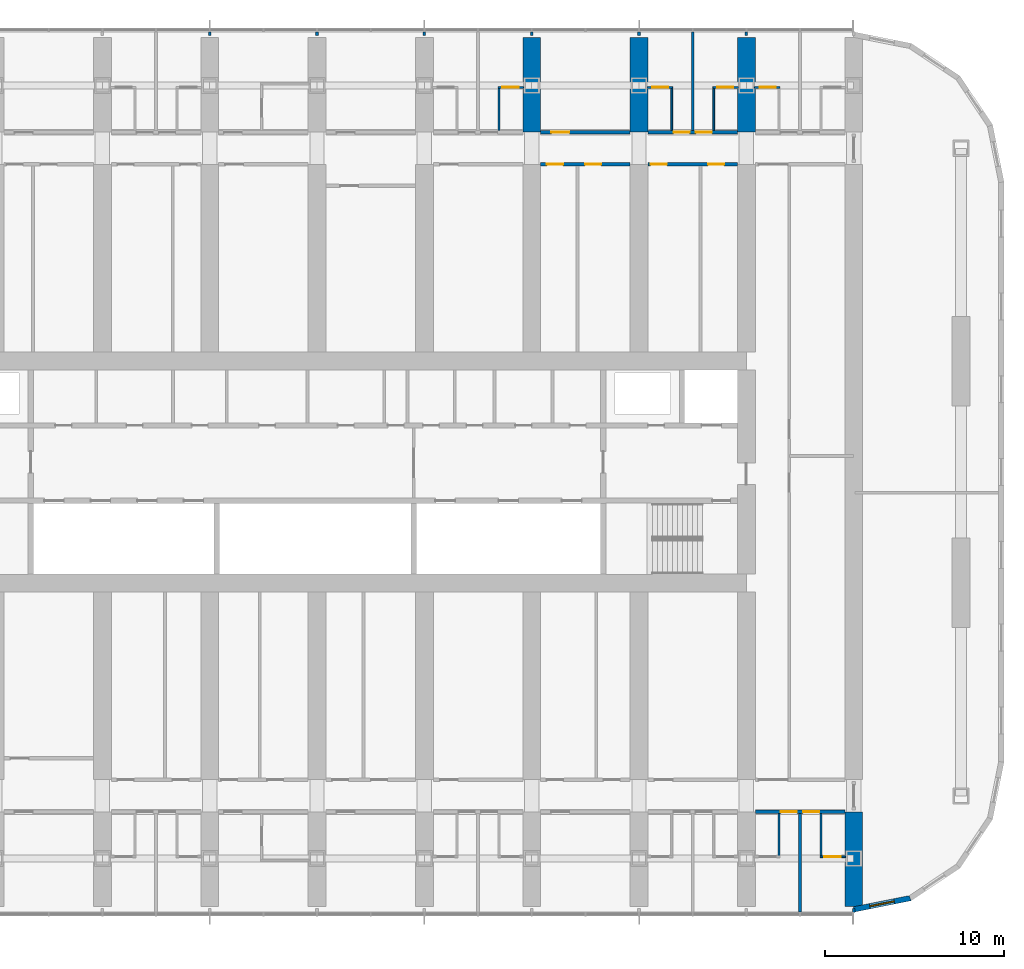
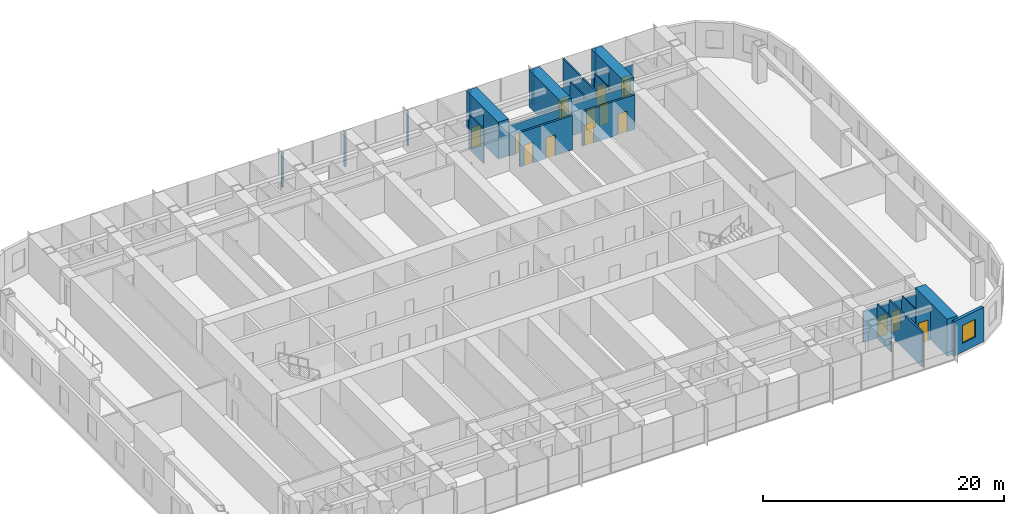
# One storey, part 17 of 24: 29 walls, 14 doors, 1 window, 15 openings.
"""IFC4 building model written with IfcOpenShell, lengths in metres."""

from ifc_helpers import new_model, si_unit, direction, frame, frame_2d, origin, place, context, subcontext, project, spatial, polyline, rectangle, outline, extrude, material, layer, layer_set, type_object, element, fill, save


model = new_model("IFC4")

# Units and contexts
model_context = context("Model", 3, precision=1e-05, world=origin(), true_north=direction((0.0, 1.0)))
body_context = subcontext(model_context, "Body", "Model", "MODEL_VIEW")
ifc_project = project(units=[si_unit("LENGTHUNIT", "METRE"), si_unit("AREAUNIT", "SQUARE_METRE"), si_unit("VOLUMEUNIT", "CUBIC_METRE"), si_unit("PLANEANGLEUNIT", "RADIAN"), si_unit("MASSUNIT", "GRAM", prefix="KILO")], contexts=[model_context])

# Site, building, storey
site_placement = place(None, origin())
site = spatial("IfcSite", under=ifc_project, at=site_placement, CompositionType="ELEMENT")
building_placement = place(site_placement, origin())
building = spatial("IfcBuilding", under=site, at=building_placement, Name="Orbita Commons", CompositionType="ELEMENT")
storey_placement = place(building_placement, frame((0.0, 0.0, 27.699951171875)))
storey = spatial("IfcBuildingStorey", under=building, at=storey_placement, Name="L06", CompositionType="ELEMENT", Elevation=27.699951171875)

# Wall, openings, doors
ifc_material_1 = material(Name="Concrete blockwork", Category="masonry")
ifc_layer_1 = layer(ifc_material_1, 0.199951171875)
ifc_layer_set_1 = layer_set([ifc_layer_1], Name="Concrete blockwork")
wall_type_1 = type_object("IfcWallType", Name="Corridor wall 200 blockwork", PredefinedType="SOLIDWALL", material=ifc_layer_set_1)
wall_1_placement = place(storey_placement, frame((66.5, 13.0, 0.0), z_axis=(0.0, 0.0, 1.0), x_axis=(1.0, 0.0, 0.0)))
wall_1 = element("IfcWall", 1, at=wall_1_placement, inside=storey, type_object=wall_type_1, Name="Corridor wall 200 blockwork L06", PredefinedType="SOLIDWALL", context=body_context, shape_type="SweptSolid", body=[
    extrude(outline(polyline([(0.0, 0.0), (5.0, 0.0), (5.0, 3.10009765625), (0.0, 3.10009765625), (0.0, 0.0)])), frame((0.0, 0.10009765625, 0.0), z_axis=(0.0, -1.0, 0.0), x_axis=(1.0, 0.0, 0.0)), (0.0, 0.0, 1.0), 0.199951171875),
])
opening_1_placement = place(wall_1_placement, frame((1.425048828125, 0.0, 0.0)))
opening_1 = element("IfcOpeningElement", 2, at=opening_1_placement, cuts=wall_1, Name="Opening D11", PredefinedType="OPENING", context=body_context, shape_type="SweptSolid", body=[
    extrude(rectangle(XDim=0.89990234375, YDim=2.10009765625, at=frame_2d((0.449951171875, 1.050048828125))), frame((0.0, 0.10986328125, 0.0), z_axis=(0.0, -1.0, 0.0), x_axis=(1.0, 0.0, 0.0)), (0.0, 0.0, 1.0), 0.219970703125),
])
opening_2_placement = place(wall_1_placement, frame((2.675048828125, 0.0, 0.0)))
opening_2 = element("IfcOpeningElement", 3, at=opening_2_placement, cuts=wall_1, Name="Opening D11", PredefinedType="OPENING", context=body_context, shape_type="SweptSolid", body=[
    extrude(rectangle(XDim=0.89990234375, YDim=2.10009765625, at=frame_2d((0.449951171875, 1.050048828125))), frame((0.0, 0.10986328125, 0.0), z_axis=(0.0, -1.0, 0.0), x_axis=(1.0, 0.0, 0.0)), (0.0, 0.0, 1.0), 0.219970703125),
])
ifc_material_2 = material(Name="Steel-faced fire door leaf", Category="steel")
door_type_1 = type_object("IfcDoorType", Name="Corridor door 20 min 900x2100", OperationType="SINGLE_SWING_LEFT", PredefinedType="DOOR", material=ifc_material_2)
door_1_placement = place(opening_1_placement, origin())
door_1 = element("IfcDoor", 4, at=door_1_placement, inside=storey, type_object=door_type_1, Name="House bedroom L06-S18 door", OperationType="SINGLE_SWING_LEFT", OverallHeight=2.10009765625, OverallWidth=0.89990234375, PredefinedType="DOOR", context=body_context, shape_type="SweptSolid", body=[
    extrude(rectangle(XDim=0.89990234375, YDim=2.10009765625, at=frame_2d((0.449951171875, 1.050048828125))), frame((0.0, 0.02490234375, 0.0), z_axis=(0.0, -1.0, 0.0), x_axis=(1.0, 0.0, 0.0)), (0.0, 0.0, 1.0), 0.050048828125),
])
fill(opening_1, door_1)
door_2_placement = place(opening_2_placement, origin())
door_2 = element("IfcDoor", 5, at=door_2_placement, inside=storey, type_object=door_type_1, Name="House bedroom L06-S19 door", OperationType="SINGLE_SWING_LEFT", OverallHeight=2.10009765625, OverallWidth=0.89990234375, PredefinedType="DOOR", context=body_context, shape_type="SweptSolid", body=[
    extrude(rectangle(XDim=0.89990234375, YDim=2.10009765625, at=frame_2d((0.449951171875, 1.050048828125))), frame((0.0, 0.02490234375, 0.0), z_axis=(0.0, -1.0, 0.0), x_axis=(1.0, 0.0, 0.0)), (0.0, 0.0, 1.0), 0.050048828125),
])
fill(opening_2, door_2)

# Wall, opening, door
wall_2_placement = place(storey_placement, frame((54.5, 51.0, 0.0), z_axis=(0.0, 0.0, 1.0), x_axis=(1.0, 0.0, 0.0)))
wall_2 = element("IfcWall", 6, at=wall_2_placement, inside=storey, type_object=wall_type_1, Name="Corridor wall 200 blockwork L06", PredefinedType="SOLIDWALL", context=body_context, shape_type="SweptSolid", body=[
    extrude(outline(polyline([(0.0, 0.0), (5.0, 0.0), (5.0, 3.10009765625), (0.0, 3.10009765625), (0.0, 0.0)])), frame((0.0, 0.10009765625, 0.0), z_axis=(0.0, -1.0, 0.0), x_axis=(1.0, 0.0, 0.0)), (0.0, 0.0, 1.0), 0.199951171875),
])
opening_3_placement = place(wall_2_placement, frame((0.60009765625, 0.0, 0.0)))
opening_3 = element("IfcOpeningElement", 7, at=opening_3_placement, cuts=wall_2, Name="Opening D06", PredefinedType="OPENING", context=body_context, shape_type="SweptSolid", body=[
    extrude(rectangle(XDim=1.0, YDim=2.10009765625, at=frame_2d((0.5, 1.050048828125))), frame((0.0, 0.10986328125, 0.0), z_axis=(0.0, -1.0, 0.0), x_axis=(1.0, 0.0, 0.0)), (0.0, 0.0, 1.0), 0.219970703125),
])
ifc_material_3 = material(Name="Steel-faced fire door leaf", Category="steel")
door_type_2 = type_object("IfcDoorType", Name="Corridor door 20 min 1000x2100", OperationType="SINGLE_SWING_LEFT", PredefinedType="DOOR", material=ifc_material_3)
door_3_placement = place(opening_3_placement, origin())
door_3 = element("IfcDoor", 8, at=door_3_placement, inside=storey, type_object=door_type_2, Name="House common room L06-N14 door", OperationType="SINGLE_SWING_LEFT", OverallHeight=2.10009765625, OverallWidth=1.0, PredefinedType="DOOR", context=body_context, shape_type="SweptSolid", body=[
    extrude(rectangle(XDim=1.0, YDim=2.10009765625, at=frame_2d((0.5, 1.050048828125))), frame((0.0, 0.02490234375, 0.0), z_axis=(0.0, -1.0, 0.0), x_axis=(1.0, 0.0, 0.0)), (0.0, 0.0, 1.0), 0.050048828125),
])
fill(opening_3, door_3)

# Wall, openings, doors
wall_3_placement = place(storey_placement, frame((60.5, 51.0, 0.0), z_axis=(0.0, 0.0, 1.0), x_axis=(1.0, 0.0, 0.0)))
wall_3 = element("IfcWall", 9, at=wall_3_placement, inside=storey, type_object=wall_type_1, Name="Corridor wall 200 blockwork L06", PredefinedType="SOLIDWALL", context=body_context, shape_type="SweptSolid", body=[
    extrude(outline(polyline([(0.0, 0.0), (5.0, 0.0), (5.0, 3.10009765625), (0.0, 3.10009765625), (0.0, 0.0)])), frame((0.0, 0.10009765625, 0.0), z_axis=(0.0, -1.0, 0.0), x_axis=(1.0, 0.0, 0.0)), (0.0, 0.0, 1.0), 0.199951171875),
])
opening_4_placement = place(wall_3_placement, frame((1.425048828125, 0.0, 0.0)))
opening_4 = element("IfcOpeningElement", 10, at=opening_4_placement, cuts=wall_3, Name="Opening D11", PredefinedType="OPENING", context=body_context, shape_type="SweptSolid", body=[
    extrude(rectangle(XDim=0.89990234375, YDim=2.10009765625, at=frame_2d((0.449951171875, 1.050048828125))), frame((0.0, 0.10986328125, 0.0), z_axis=(0.0, -1.0, 0.0), x_axis=(1.0, 0.0, 0.0)), (0.0, 0.0, 1.0), 0.219970703125),
])
opening_5_placement = place(wall_3_placement, frame((2.675048828125, 0.0, 0.0)))
opening_5 = element("IfcOpeningElement", 11, at=opening_5_placement, cuts=wall_3, Name="Opening D11", PredefinedType="OPENING", context=body_context, shape_type="SweptSolid", body=[
    extrude(rectangle(XDim=0.89990234375, YDim=2.10009765625, at=frame_2d((0.449951171875, 1.050048828125))), frame((0.0, 0.10986328125, 0.0), z_axis=(0.0, -1.0, 0.0), x_axis=(1.0, 0.0, 0.0)), (0.0, 0.0, 1.0), 0.219970703125),
])
door_4_placement = place(opening_4_placement, origin())
door_4 = element("IfcDoor", 12, at=door_4_placement, inside=storey, type_object=door_type_1, Name="House bedroom L06-N16 door", OperationType="SINGLE_SWING_LEFT", OverallHeight=2.10009765625, OverallWidth=0.89990234375, PredefinedType="DOOR", context=body_context, shape_type="SweptSolid", body=[
    extrude(rectangle(XDim=0.89990234375, YDim=2.10009765625, at=frame_2d((0.449951171875, 1.050048828125))), frame((0.0, 0.02490234375, 0.0), z_axis=(0.0, -1.0, 0.0), x_axis=(1.0, 0.0, 0.0)), (0.0, 0.0, 1.0), 0.050048828125),
])
fill(opening_4, door_4)
door_5_placement = place(opening_5_placement, origin())
door_5 = element("IfcDoor", 13, at=door_5_placement, inside=storey, type_object=door_type_1, Name="House bedroom L06-N17 door", OperationType="SINGLE_SWING_LEFT", OverallHeight=2.10009765625, OverallWidth=0.89990234375, PredefinedType="DOOR", context=body_context, shape_type="SweptSolid", body=[
    extrude(rectangle(XDim=0.89990234375, YDim=2.10009765625, at=frame_2d((0.449951171875, 1.050048828125))), frame((0.0, 0.02490234375, 0.0), z_axis=(0.0, -1.0, 0.0), x_axis=(1.0, 0.0, 0.0)), (0.0, 0.0, 1.0), 0.050048828125),
])
fill(opening_5, door_5)

ifc_material_4 = material(Name="Hollow concrete block 200", Category="concrete")
ifc_layer_2 = layer(ifc_material_4, 0.199951171875)
ifc_layer_set_2 = layer_set([ifc_layer_2], Name="Hollow concrete block 200")
wall_type_2 = type_object("IfcWallType", Name="Corridor wall 200 hollow concrete block", PredefinedType="SOLIDWALL", material=ifc_layer_set_2)
wall_4_placement = place(storey_placement, frame((54.5, 49.199951171875, 0.0), z_axis=(0.0, 0.0, 1.0), x_axis=(1.0, 0.0, 0.0)))
wall_4 = element("IfcWall", 14, at=wall_4_placement, inside=storey, type_object=wall_type_2, Name="Corridor wall 200 hollow concrete block L06", PredefinedType="SOLIDWALL", context=body_context, shape_type="SweptSolid", body=[
    extrude(rectangle(XDim=5.0, YDim=0.199951171875, at=frame_2d((2.5, 0.0))), origin(), (0.0, 0.0, 1.0), 3.5),
])
opening_6_placement = place(wall_4_placement, frame((0.35009765625, 0.0, 0.0)))
opening_6 = element("IfcOpeningElement", 15, at=opening_6_placement, cuts=wall_4, Name="Opening D11", PredefinedType="OPENING", context=body_context, shape_type="SweptSolid", body=[
    extrude(rectangle(XDim=0.89990234375, YDim=2.10009765625, at=frame_2d((0.449951171875, 1.050048828125))), frame((0.0, 0.10986328125, 0.0), z_axis=(0.0, -1.0, 0.0), x_axis=(1.0, 0.0, 0.0)), (0.0, 0.0, 1.0), 0.219970703125),
])
opening_7_placement = place(wall_4_placement, frame((2.485107421875, 0.0, 0.0)))
opening_7 = element("IfcOpeningElement", 16, at=opening_7_placement, cuts=wall_4, Name="Opening D11", PredefinedType="OPENING", context=body_context, shape_type="SweptSolid", body=[
    extrude(rectangle(XDim=0.89990234375, YDim=2.10009765625, at=frame_2d((0.449951171875, 1.050048828125))), frame((0.0, 0.10986328125, 0.0), z_axis=(0.0, -1.0, 0.0), x_axis=(1.0, 0.0, 0.0)), (0.0, 0.0, 1.0), 0.219970703125),
])
door_6_placement = place(opening_6_placement, origin())
door_6 = element("IfcDoor", 17, at=door_6_placement, inside=storey, type_object=door_type_1, Name="Sprinkler valve room L06-BDN54n door", OperationType="SINGLE_SWING_LEFT", OverallHeight=2.10009765625, OverallWidth=0.89990234375, PredefinedType="DOOR", context=body_context, shape_type="SweptSolid", body=[
    extrude(rectangle(XDim=0.89990234375, YDim=2.10009765625, at=frame_2d((0.449951171875, 1.050048828125))), frame((0.0, 0.02490234375, 0.0), z_axis=(0.0, -1.0, 0.0), x_axis=(1.0, 0.0, 0.0)), (0.0, 0.0, 1.0), 0.050048828125),
])
fill(opening_6, door_6)
door_7_placement = place(opening_7_placement, origin())
door_7 = element("IfcDoor", 18, at=door_7_placement, inside=storey, type_object=door_type_1, Name="Ventilation plant room north L06-BDN54 door", OperationType="SINGLE_SWING_LEFT", OverallHeight=2.10009765625, OverallWidth=0.89990234375, PredefinedType="DOOR", context=body_context, shape_type="SweptSolid", body=[
    extrude(rectangle(XDim=0.89990234375, YDim=2.10009765625, at=frame_2d((0.449951171875, 1.050048828125))), frame((0.0, 0.02490234375, 0.0), z_axis=(0.0, -1.0, 0.0), x_axis=(1.0, 0.0, 0.0)), (0.0, 0.0, 1.0), 0.050048828125),
])
fill(opening_7, door_7)

wall_5_placement = place(storey_placement, frame((60.5, 49.199951171875, 0.0), z_axis=(0.0, 0.0, 1.0), x_axis=(1.0, 0.0, 0.0)))
wall_5 = element("IfcWall", 19, at=wall_5_placement, inside=storey, type_object=wall_type_2, Name="Corridor wall 200 hollow concrete block L06", PredefinedType="SOLIDWALL", context=body_context, shape_type="SweptSolid", body=[
    extrude(rectangle(XDim=5.0, YDim=0.199951171875, at=frame_2d((2.5, 0.0))), origin(), (0.0, 0.0, 1.0), 3.5),
])
opening_8_placement = place(wall_5_placement, frame((0.14990234375, 0.0, 0.0)))
opening_8 = element("IfcOpeningElement", 20, at=opening_8_placement, cuts=wall_5, Name="Opening D11", PredefinedType="OPENING", context=body_context, shape_type="SweptSolid", body=[
    extrude(rectangle(XDim=0.89990234375, YDim=2.10009765625, at=frame_2d((0.449951171875, 1.050048828125))), frame((0.0, 0.10986328125, 0.0), z_axis=(0.0, -1.0, 0.0), x_axis=(1.0, 0.0, 0.0)), (0.0, 0.0, 1.0), 0.219970703125),
])
opening_9_placement = place(wall_5_placement, frame((3.35498046875, 0.0, 0.0)))
opening_9 = element("IfcOpeningElement", 21, at=opening_9_placement, cuts=wall_5, Name="Opening D11", PredefinedType="OPENING", context=body_context, shape_type="SweptSolid", body=[
    extrude(rectangle(XDim=0.89990234375, YDim=2.10009765625, at=frame_2d((0.449951171875, 1.050048828125))), frame((0.0, 0.10986328125, 0.0), z_axis=(0.0, -1.0, 0.0), x_axis=(1.0, 0.0, 0.0)), (0.0, 0.0, 1.0), 0.219970703125),
])
door_8_placement = place(opening_8_placement, origin())
door_8 = element("IfcDoor", 22, at=door_8_placement, inside=storey, type_object=door_type_1, Name="Electrical and data room L06-BDN60 door", OperationType="SINGLE_SWING_LEFT", OverallHeight=2.10009765625, OverallWidth=0.89990234375, PredefinedType="DOOR", context=body_context, shape_type="SweptSolid", body=[
    extrude(rectangle(XDim=0.89990234375, YDim=2.10009765625, at=frame_2d((0.449951171875, 1.050048828125))), frame((0.0, 0.02490234375, 0.0), z_axis=(0.0, -1.0, 0.0), x_axis=(1.0, 0.0, 0.0)), (0.0, 0.0, 1.0), 0.050048828125),
])
fill(opening_8, door_8)
door_9_placement = place(opening_9_placement, origin())
door_9 = element("IfcDoor", 23, at=door_9_placement, inside=storey, type_object=door_type_1, Name="Battery and UPS room L06-BDN60n door", OperationType="SINGLE_SWING_LEFT", OverallHeight=2.10009765625, OverallWidth=0.89990234375, PredefinedType="DOOR", context=body_context, shape_type="SweptSolid", body=[
    extrude(rectangle(XDim=0.89990234375, YDim=2.10009765625, at=frame_2d((0.449951171875, 1.050048828125))), frame((0.0, 0.02490234375, 0.0), z_axis=(0.0, -1.0, 0.0), x_axis=(1.0, 0.0, 0.0)), (0.0, 0.0, 1.0), 0.050048828125),
])
fill(opening_9, door_9)

# Walls
ifc_material_5 = material(Name="Concrete C50/60", Category="concrete")
ifc_layer_3 = layer(ifc_material_5, 1.0)
ifc_layer_set_3 = layer_set([ifc_layer_3], Name="Concrete C50/60")
wall_type_3 = type_object("IfcWallType", Name="Cross wall 1000 C50/60", PredefinedType="SHEAR", material=ifc_layer_set_3)
for number, where, z_axis, x_axis, name in (
    (24, (54.0, 51.0, 0.0), (0.0, 0.0, 1.0), (0.0, 1.0, 0.0), "Cross wall 10 north outer L06"),
    (25, (60.0, 51.0, 0.0), (0.0, 0.0, 1.0), (0.0, 1.0, 0.0), "Cross wall 11 north outer L06"),
    (26, (66.0, 51.0, 0.0), (0.0, 0.0, 1.0), (0.0, 1.0, 0.0), "Cross wall 12 north outer L06"),
    (27, (72.0, 7.699951171875, 0.0), (0.0, 0.0, 1.0), (0.0, 1.0, 0.0), "Cross wall 13 south outer L06"),
):
    element("IfcWall", number, at=place(storey_placement, frame(where, z_axis=z_axis, x_axis=x_axis)), inside=storey, type_object=wall_type_3, Name=name, PredefinedType="SHEAR", context=body_context, shape_type="SweptSolid", body=[
        extrude(rectangle(XDim=5.300048828125, YDim=1.0, at=frame_2d((2.64990234375, 0.0))), origin(), (0.0, 0.0, 1.0), 3.75),
    ])
ifc_material_6 = material(Name="Moisture-resistant plasterboard on steel studs", Category="steel")
ifc_layer_4 = layer(ifc_material_6, 0.10009765625)
ifc_layer_set_4 = layer_set([ifc_layer_4], Name="Moisture-resistant plasterboard on steel studs")
wall_type_4 = type_object("IfcWallType", Name="En-suite partition 100", PredefinedType="PARTITIONING", material=ifc_layer_set_4)
wall_6_placement = place(storey_placement, frame((67.824951171875, 10.550048828125, 0.0), z_axis=(0.0, 0.0, 1.0), x_axis=(0.0, 1.0, 0.0)))
element("IfcWall", 28, at=wall_6_placement, inside=storey, type_object=wall_type_4, Name="En-suite partition 100 L06", PredefinedType="PARTITIONING", context=body_context, shape_type="SweptSolid", body=[
    extrude(outline(polyline([(0.0, 0.0), (2.349853515625, 0.0), (2.35009765625, 3.10009765625), (2.302001953125, 3.10009765625), (2.300048828125, 3.5), (0.052001953125, 3.5), (0.050048828125, 3.10009765625), (0.0, 3.10009765625), (0.0, 0.0)])), frame((0.0, 0.050048828125, 0.0), z_axis=(0.0, -1.0, 0.0), x_axis=(1.0, 0.0, 0.0)), (0.0, 0.0, 1.0), 0.10009765625),
])

# Wall, opening, door
wall_7_placement = place(storey_placement, frame((71.550048828125, 10.5, 0.0), z_axis=(0.0, 0.0, 1.0), x_axis=(-1.0, 0.0, 0.0)))
wall_7 = element("IfcWall", 29, at=wall_7_placement, inside=storey, type_object=wall_type_4, Name="En-suite partition 100 L06", PredefinedType="PARTITIONING", context=body_context, shape_type="SweptSolid", body=[
    extrude(outline(polyline([(0.0, 0.0), (1.425048828125, 0.0), (1.425048828125, 3.10009765625), (0.0, 3.10009765625), (0.0, 0.0)])), frame((0.0, 0.050048828125, 0.0), z_axis=(0.0, -1.0, 0.0), x_axis=(1.0, 0.0, 0.0)), (0.0, 0.0, 1.0), 0.10009765625),
])
opening_10_placement = place(wall_7_placement, frame((0.28759765625, 0.0, 0.0)))
opening_10 = element("IfcOpeningElement", 30, at=opening_10_placement, cuts=wall_7, Name="Opening D09", PredefinedType="OPENING", context=body_context, shape_type="SweptSolid", body=[
    extrude(rectangle(XDim=0.89990234375, YDim=2.10009765625, at=frame_2d((0.449951171875, 1.050048828125))), frame((0.0, 0.06005859375, 0.0), z_axis=(0.0, -1.0, 0.0), x_axis=(1.0, 0.0, 0.0)), (0.0, 0.0, 1.0), 0.1201171875),
])
ifc_material_7 = material(Name="Laminated timber door leaf", Category="wood")
door_type_3 = type_object("IfcDoorType", Name="En-suite door 900x2100", OperationType="SINGLE_SWING_RIGHT", PredefinedType="DOOR", material=ifc_material_7)
door_10_placement = place(opening_10_placement, origin())
door_10 = element("IfcDoor", 31, at=door_10_placement, inside=storey, type_object=door_type_3, Name="En-suite L06-S19 door", OperationType="SINGLE_SWING_RIGHT", OverallHeight=2.10009765625, OverallWidth=0.89990234375, PredefinedType="DOOR", context=body_context, shape_type="SweptSolid", body=[
    extrude(rectangle(XDim=0.89990234375, YDim=2.10009765625, at=frame_2d((0.449951171875, 1.050048828125))), frame((0.0, 0.02490234375, 0.0), z_axis=(0.0, -1.0, 0.0), x_axis=(1.0, 0.0, 0.0)), (0.0, 0.0, 1.0), 0.050048828125),
])
fill(opening_10, door_10)

# Wall
wall_8_placement = place(storey_placement, frame((70.175048828125, 10.550048828125, 0.0), z_axis=(0.0, 0.0, 1.0), x_axis=(0.0, 1.0, 0.0)))
element("IfcWall", 32, at=wall_8_placement, inside=storey, type_object=wall_type_4, Name="En-suite partition 100 L06", PredefinedType="PARTITIONING", context=body_context, shape_type="SweptSolid", body=[
    extrude(outline(polyline([(0.0, 0.0), (2.349853515625, 0.0), (2.35009765625, 3.10009765625), (2.302001953125, 3.10009765625), (2.300048828125, 3.5), (0.052001953125, 3.5), (0.050048828125, 3.10009765625), (0.0, 3.10009765625), (0.0, 0.0)])), frame((0.0, 0.050048828125, 0.0), z_axis=(0.0, -1.0, 0.0), x_axis=(1.0, 0.0, 0.0)), (0.0, 0.0, 1.0), 0.10009765625),
])

# Wall, opening, door
wall_9_placement = place(storey_placement, frame((52.125, 53.5, 0.0), z_axis=(0.0, 0.0, 1.0), x_axis=(1.0, 0.0, 0.0)))
wall_9 = element("IfcWall", 33, at=wall_9_placement, inside=storey, type_object=wall_type_4, Name="En-suite partition 100 L06", PredefinedType="PARTITIONING", context=body_context, shape_type="SweptSolid", body=[
    extrude(outline(polyline([(0.0, 0.0), (1.425048828125, 0.0), (1.425048828125, 3.10009765625), (0.0, 3.10009765625), (0.0, 0.0)])), frame((0.0, 0.050048828125, 0.0), z_axis=(0.0, -1.0, 0.0), x_axis=(1.0, 0.0, 0.0)), (0.0, 0.0, 1.0), 0.10009765625),
])
opening_11_placement = place(wall_9_placement, frame((0.237548828125, 0.0, 0.0)))
opening_11 = element("IfcOpeningElement", 34, at=opening_11_placement, cuts=wall_9, Name="Opening D09", PredefinedType="OPENING", context=body_context, shape_type="SweptSolid", body=[
    extrude(rectangle(XDim=0.89990234375, YDim=2.10009765625, at=frame_2d((0.449951171875, 1.050048828125))), frame((0.0, 0.06005859375, 0.0), z_axis=(0.0, -1.0, 0.0), x_axis=(1.0, 0.0, 0.0)), (0.0, 0.0, 1.0), 0.1201171875),
])
door_11_placement = place(opening_11_placement, origin())
door_11 = element("IfcDoor", 35, at=door_11_placement, inside=storey, type_object=door_type_3, Name="En-suite L06-N13 door", OperationType="SINGLE_SWING_RIGHT", OverallHeight=2.10009765625, OverallWidth=0.89990234375, PredefinedType="DOOR", context=body_context, shape_type="SweptSolid", body=[
    extrude(rectangle(XDim=0.89990234375, YDim=2.10009765625, at=frame_2d((0.449951171875, 1.050048828125))), frame((0.0, 0.02490234375, 0.0), z_axis=(0.0, -1.0, 0.0), x_axis=(1.0, 0.0, 0.0)), (0.0, 0.0, 1.0), 0.050048828125),
])
fill(opening_11, door_11)

# Wall
wall_10_placement = place(storey_placement, frame((52.175048828125, 53.449951171875, 0.0), z_axis=(0.0, 0.0, 1.0), x_axis=(0.0, -1.0, 0.0)))
element("IfcWall", 36, at=wall_10_placement, inside=storey, type_object=wall_type_4, Name="En-suite partition 100 L06", PredefinedType="PARTITIONING", context=body_context, shape_type="SweptSolid", body=[
    extrude(outline(polyline([(0.0, 0.0), (2.349853515625, 0.0), (2.35009765625, 3.10009765625), (2.302001953125, 3.10009765625), (2.300048828125, 3.5), (0.052001953125, 3.5), (0.050048828125, 3.10009765625), (0.0, 3.10009765625), (0.0, 0.0)])), frame((0.0, 0.050048828125, 0.0), z_axis=(0.0, -1.0, 0.0), x_axis=(1.0, 0.0, 0.0)), (0.0, 0.0, 1.0), 0.10009765625),
])

# Wall, opening, door
wall_11_placement = place(storey_placement, frame((60.449951171875, 53.5, 0.0), z_axis=(0.0, 0.0, 1.0), x_axis=(1.0, 0.0, 0.0)))
wall_11 = element("IfcWall", 37, at=wall_11_placement, inside=storey, type_object=wall_type_4, Name="En-suite partition 100 L06", PredefinedType="PARTITIONING", context=body_context, shape_type="SweptSolid", body=[
    extrude(outline(polyline([(0.0, 0.0), (1.425048828125, 0.0), (1.425048828125, 3.10009765625), (0.0, 3.10009765625), (0.0, 0.0)])), frame((0.0, 0.050048828125, 0.0), z_axis=(0.0, -1.0, 0.0), x_axis=(1.0, 0.0, 0.0)), (0.0, 0.0, 1.0), 0.10009765625),
])
opening_12_placement = place(wall_11_placement, frame((0.28759765625, 0.0, 0.0)))
opening_12 = element("IfcOpeningElement", 38, at=opening_12_placement, cuts=wall_11, Name="Opening D09", PredefinedType="OPENING", context=body_context, shape_type="SweptSolid", body=[
    extrude(rectangle(XDim=0.89990234375, YDim=2.10009765625, at=frame_2d((0.449951171875, 1.050048828125))), frame((0.0, 0.06005859375, 0.0), z_axis=(0.0, -1.0, 0.0), x_axis=(1.0, 0.0, 0.0)), (0.0, 0.0, 1.0), 0.1201171875),
])
door_12_placement = place(opening_12_placement, origin())
door_12 = element("IfcDoor", 39, at=door_12_placement, inside=storey, type_object=door_type_3, Name="En-suite L06-N16 door", OperationType="SINGLE_SWING_RIGHT", OverallHeight=2.10009765625, OverallWidth=0.89990234375, PredefinedType="DOOR", context=body_context, shape_type="SweptSolid", body=[
    extrude(rectangle(XDim=0.89990234375, YDim=2.10009765625, at=frame_2d((0.449951171875, 1.050048828125))), frame((0.0, 0.02490234375, 0.0), z_axis=(0.0, -1.0, 0.0), x_axis=(1.0, 0.0, 0.0)), (0.0, 0.0, 1.0), 0.050048828125),
])
fill(opening_12, door_12)

# Wall
wall_12_placement = place(storey_placement, frame((61.824951171875, 53.449951171875, 0.0), z_axis=(0.0, 0.0, 1.0), x_axis=(0.0, -1.0, 0.0)))
element("IfcWall", 40, at=wall_12_placement, inside=storey, type_object=wall_type_4, Name="En-suite partition 100 L06", PredefinedType="PARTITIONING", context=body_context, shape_type="SweptSolid", body=[
    extrude(outline(polyline([(0.0, 0.0), (2.349853515625, 0.0), (2.35009765625, 3.10009765625), (2.302001953125, 3.10009765625), (2.300048828125, 3.5), (0.052001953125, 3.5), (0.050048828125, 3.10009765625), (0.0, 3.10009765625), (0.0, 0.0)])), frame((0.0, 0.050048828125, 0.0), z_axis=(0.0, -1.0, 0.0), x_axis=(1.0, 0.0, 0.0)), (0.0, 0.0, 1.0), 0.10009765625),
])

# Wall, opening, door
wall_13_placement = place(storey_placement, frame((64.125, 53.5, 0.0), z_axis=(0.0, 0.0, 1.0), x_axis=(1.0, 0.0, 0.0)))
wall_13 = element("IfcWall", 41, at=wall_13_placement, inside=storey, type_object=wall_type_4, Name="En-suite partition 100 L06", PredefinedType="PARTITIONING", context=body_context, shape_type="SweptSolid", body=[
    extrude(outline(polyline([(0.0, 0.0), (1.425048828125, 0.0), (1.425048828125, 3.10009765625), (0.0, 3.10009765625), (0.0, 0.0)])), frame((0.0, 0.050048828125, 0.0), z_axis=(0.0, -1.0, 0.0), x_axis=(1.0, 0.0, 0.0)), (0.0, 0.0, 1.0), 0.10009765625),
])
opening_13_placement = place(wall_13_placement, frame((0.237548828125, 0.0, 0.0)))
opening_13 = element("IfcOpeningElement", 42, at=opening_13_placement, cuts=wall_13, Name="Opening D09", PredefinedType="OPENING", context=body_context, shape_type="SweptSolid", body=[
    extrude(rectangle(XDim=0.89990234375, YDim=2.10009765625, at=frame_2d((0.449951171875, 1.050048828125))), frame((0.0, 0.06005859375, 0.0), z_axis=(0.0, -1.0, 0.0), x_axis=(1.0, 0.0, 0.0)), (0.0, 0.0, 1.0), 0.1201171875),
])
door_13_placement = place(opening_13_placement, origin())
door_13 = element("IfcDoor", 43, at=door_13_placement, inside=storey, type_object=door_type_3, Name="En-suite L06-N17 door", OperationType="SINGLE_SWING_RIGHT", OverallHeight=2.10009765625, OverallWidth=0.89990234375, PredefinedType="DOOR", context=body_context, shape_type="SweptSolid", body=[
    extrude(rectangle(XDim=0.89990234375, YDim=2.10009765625, at=frame_2d((0.449951171875, 1.050048828125))), frame((0.0, 0.02490234375, 0.0), z_axis=(0.0, -1.0, 0.0), x_axis=(1.0, 0.0, 0.0)), (0.0, 0.0, 1.0), 0.050048828125),
])
fill(opening_13, door_13)

# Wall
wall_14_placement = place(storey_placement, frame((64.175048828125, 53.449951171875, 0.0), z_axis=(0.0, 0.0, 1.0), x_axis=(0.0, -1.0, 0.0)))
element("IfcWall", 44, at=wall_14_placement, inside=storey, type_object=wall_type_4, Name="En-suite partition 100 L06", PredefinedType="PARTITIONING", context=body_context, shape_type="SweptSolid", body=[
    extrude(outline(polyline([(0.0, 0.0), (2.349853515625, 0.0), (2.35009765625, 3.10009765625), (2.302001953125, 3.10009765625), (2.300048828125, 3.5), (0.052001953125, 3.5), (0.050048828125, 3.10009765625), (0.0, 3.10009765625), (0.0, 0.0)])), frame((0.0, 0.050048828125, 0.0), z_axis=(0.0, -1.0, 0.0), x_axis=(1.0, 0.0, 0.0)), (0.0, 0.0, 1.0), 0.10009765625),
])

# Wall, opening, door
wall_15_placement = place(storey_placement, frame((66.449951171875, 53.5, 0.0), z_axis=(0.0, 0.0, 1.0), x_axis=(1.0, 0.0, 0.0)))
wall_15 = element("IfcWall", 45, at=wall_15_placement, inside=storey, type_object=wall_type_4, Name="En-suite partition 100 L06", PredefinedType="PARTITIONING", context=body_context, shape_type="SweptSolid", body=[
    extrude(outline(polyline([(0.0, 0.0), (1.425048828125, 0.0), (1.425048828125, 3.10009765625), (0.0, 3.10009765625), (0.0, 0.0)])), frame((0.0, 0.050048828125, 0.0), z_axis=(0.0, -1.0, 0.0), x_axis=(1.0, 0.0, 0.0)), (0.0, 0.0, 1.0), 0.10009765625),
])
opening_14_placement = place(wall_15_placement, frame((0.28759765625, 0.0, 0.0)))
opening_14 = element("IfcOpeningElement", 46, at=opening_14_placement, cuts=wall_15, Name="Opening D09", PredefinedType="OPENING", context=body_context, shape_type="SweptSolid", body=[
    extrude(rectangle(XDim=0.89990234375, YDim=2.10009765625, at=frame_2d((0.449951171875, 1.050048828125))), frame((0.0, 0.06005859375, 0.0), z_axis=(0.0, -1.0, 0.0), x_axis=(1.0, 0.0, 0.0)), (0.0, 0.0, 1.0), 0.1201171875),
])
door_14_placement = place(opening_14_placement, origin())
door_14 = element("IfcDoor", 47, at=door_14_placement, inside=storey, type_object=door_type_3, Name="En-suite L06-N18 door", OperationType="SINGLE_SWING_RIGHT", OverallHeight=2.10009765625, OverallWidth=0.89990234375, PredefinedType="DOOR", context=body_context, shape_type="SweptSolid", body=[
    extrude(rectangle(XDim=0.89990234375, YDim=2.10009765625, at=frame_2d((0.449951171875, 1.050048828125))), frame((0.0, 0.02490234375, 0.0), z_axis=(0.0, -1.0, 0.0), x_axis=(1.0, 0.0, 0.0)), (0.0, 0.0, 1.0), 0.050048828125),
])
fill(opening_14, door_14)

# Walls
ifc_material_8 = material(Name="Gypsum plasterboard on steel studs", Category="steel")
ifc_layer_5 = layer(ifc_material_8, 0.14990234375)
ifc_layer_set_5 = layer_set([ifc_layer_5], Name="Gypsum plasterboard on steel studs")
wall_type_5 = type_object("IfcWallType", Name="Partition 150 plasterboard", PredefinedType="PARTITIONING", material=ifc_layer_set_5)
for number, where, z_axis, x_axis, name in (
    (48, (36.0, 56.39990234375, 0.0), (0.0, 0.0, 1.0), (0.0, 1.0, 0.0), "Partition 150 plasterboard L06"),
    (49, (42.0, 56.39990234375, 0.0), (0.0, 0.0, 1.0), (0.0, 1.0, 0.0), "Partition 150 plasterboard L06"),
    (50, (48.0, 56.39990234375, 0.0), (0.0, 0.0, 1.0), (0.0, 1.0, 0.0), "Partition 150 plasterboard L06"),
    (51, (54.0, 56.39990234375, 0.0), (0.0, 0.0, 1.0), (0.0, 1.0, 0.0), "Partition 150 plasterboard L06"),
    (52, (60.0, 56.39990234375, 0.0), (0.0, 0.0, 1.0), (0.0, 1.0, 0.0), "Partition 150 plasterboard L06"),
    (53, (66.0, 56.39990234375, 0.0), (0.0, 0.0, 1.0), (0.0, 1.0, 0.0), "Partition 150 plasterboard L06"),
):
    element("IfcWall", number, at=place(storey_placement, frame(where, z_axis=z_axis, x_axis=x_axis)), inside=storey, type_object=wall_type_5, Name=name, PredefinedType="PARTITIONING", context=body_context, shape_type="SweptSolid", body=[
        extrude(rectangle(XDim=0.190185546875, YDim=0.14990234375, at=frame_2d((0.09521484375, 0.0))), origin(), (0.0, 0.0, 1.0), 3.5),
    ])
wall_16_placement = place(storey_placement, frame((72.0, 7.60009765625, 0.0), z_axis=(0.0, 0.0, 1.0), x_axis=(0.0, -1.0, 0.0)))
element("IfcWall", 54, at=wall_16_placement, inside=storey, type_object=wall_type_5, Name="Partition 150 plasterboard L06", PredefinedType="PARTITIONING", context=body_context, shape_type="SweptSolid", body=[
    extrude(rectangle(XDim=0.22021484375, YDim=0.14990234375, at=frame_2d((0.110107421875, 0.0))), origin(), (0.0, 0.0, 1.0), 3.5),
])
ifc_material_9 = material(Name="Gypsum plasterboard on steel studs", Category="steel")
ifc_layer_6 = layer(ifc_material_9, 0.14990234375)
ifc_layer_set_6 = layer_set([ifc_layer_6], Name="Gypsum plasterboard on steel studs")
wall_type_6 = type_object("IfcWallType", Name="Party wall 150 plasterboard", PredefinedType="PARTITIONING", material=ifc_layer_set_6)
for number, where, z_axis, x_axis, name in (
    (55, (69.0, 7.409912109375, 0.0), (0.0, 0.0, 1.0), (0.0, 1.0, 0.0), "Party wall 150 plasterboard L06"),
    (56, (63.0, 56.590087890625, 0.0), (0.0, 0.0, 1.0), (0.0, -1.0, 0.0), "Party wall 150 plasterboard L06"),
):
    element("IfcWall", number, at=place(storey_placement, frame(where, z_axis=z_axis, x_axis=x_axis)), inside=storey, type_object=wall_type_6, Name=name, PredefinedType="PARTITIONING", context=body_context, shape_type="SweptSolid", body=[
        extrude(outline(polyline([(0.0, 0.0), (5.489990234375, 0.0), (5.489990234375, 3.10009765625), (5.44189453125, 3.10009765625), (5.43994140625, 3.5), (3.19189453125, 3.5), (3.18994140625, 3.10009765625), (2.7919921875, 3.10009765625), (2.7900390625, 3.5), (0.0, 3.5), (0.0, 0.0)])), frame((0.0, 0.074951171875, 0.0), z_axis=(0.0, -1.0, 0.0), x_axis=(1.0, 0.0, 0.0)), (0.0, 0.0, 1.0), 0.14990234375),
    ])

# Wall, opening, window
ifc_material_10 = material(Name="Precast concrete C40/50, white board-marked finish", Category="concrete")
ifc_layer_7 = layer(ifc_material_10, 0.300048828125)
ifc_layer_set_7 = layer_set([ifc_layer_7], Name="Precast concrete C40/50, white board-marked finish")
wall_type_7 = type_object("IfcWallType", Name="Precast concrete end shield 300", PredefinedType="SOLIDWALL", material=ifc_layer_set_7)
wall_17_placement = place(storey_placement, frame((72.0, 7.550048828125, 0.0), z_axis=(0.0, 0.0, 1.0), x_axis=(0.980787251524, 0.195080412259, 0.0)))
wall_17 = element("IfcWall", 57, at=wall_17_placement, inside=storey, type_object=wall_type_7, Name="End shield SE chord 1 L06", PredefinedType="SOLIDWALL", context=body_context, shape_type="SweptSolid", body=[
    extrude(outline(polyline([(-0.02978515625, -0.14990234375), (3.24853515625, -0.14990234375), (3.18896484375, 0.14990234375), (0.02978515625, 0.14990234375), (-0.02978515625, -0.14990234375)])), origin(), (0.0, 0.0, 1.0), 3.5),
])
opening_15_placement = place(wall_17_placement, frame((0.909423828125, 0.0, 0.89990234375)))
opening_15 = element("IfcOpeningElement", 58, at=opening_15_placement, cuts=wall_17, Name="Opening W02", PredefinedType="OPENING", context=body_context, shape_type="SweptSolid", body=[
    extrude(rectangle(XDim=1.39990234375, YDim=1.800048828125, at=frame_2d((0.699951171875, 0.89990234375))), frame((0.0, 0.159912109375, 0.0), z_axis=(0.0, -1.0, 0.0), x_axis=(1.0, 0.0, 0.0)), (0.0, 0.0, 1.0), 0.320068359375),
])
ifc_material_11 = material(Name="Aluminium frame, clear double glazing", Category="aluminium")
window_type = type_object("IfcWindowType", Name="Deep-set window 1400x1800", PartitioningType="SINGLE_PANEL", PredefinedType="WINDOW", material=ifc_material_11)
window_placement = place(opening_15_placement, origin())
window = element("IfcWindow", 59, at=window_placement, inside=storey, type_object=window_type, Name="Window L06-SE0", OverallHeight=1.800048828125, OverallWidth=1.39990234375, PartitioningType="SINGLE_PANEL", PredefinedType="WINDOW", context=body_context, shape_type="SweptSolid", body=[
    extrude(rectangle(XDim=1.39990234375, YDim=1.800048828125, at=frame_2d((0.699951171875, 0.89990234375))), frame((0.0, 0.030029296875, 0.0), z_axis=(0.0, -1.0, 0.0), x_axis=(1.0, 0.0, 0.0)), (0.0, 0.0, 1.0), 0.06005859375),
])
fill(opening_15, window)

save(model, "model.ifc")
